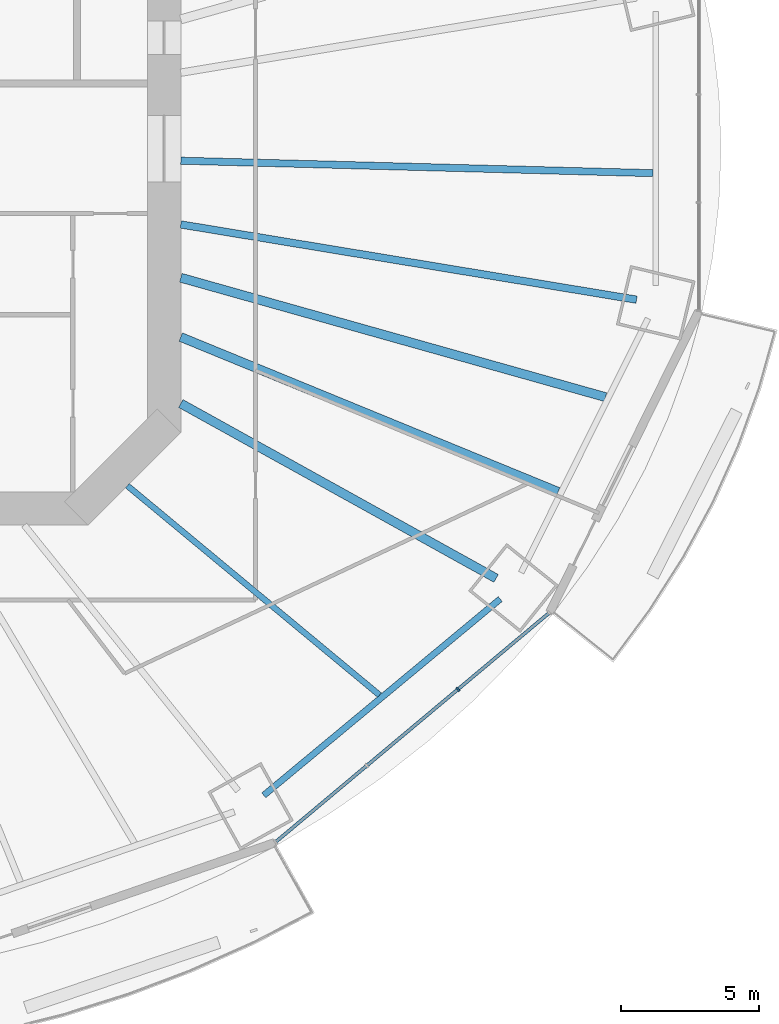
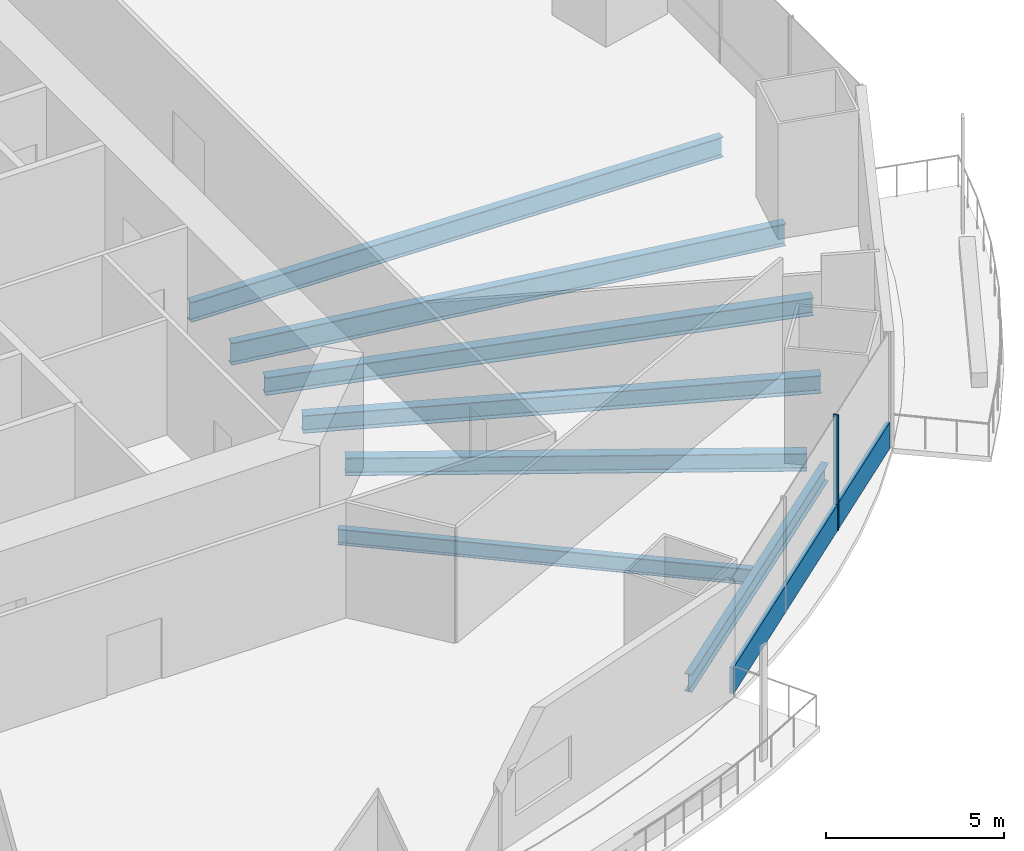
# One storey, part 5 of 23: 7 beams, 2 members, 1 element without a shape of its own.
"""IFC4 building model written with IfcOpenShell, lengths in metres."""

from ifc_helpers import new_model, si_unit, direction, frame, origin, origin_2d, place, context, subcontext, project, spatial, rectangle, i_section, extrude, material, material_profile, profile_set, type_object, element, aggregate, save


model = new_model("IFC4")

# Units and contexts
model_context = context("Model", 3, precision=1e-05, world=origin(), true_north=direction((0.0, 1.0)))
body_context = subcontext(model_context, "Body", "Model", "MODEL_VIEW")
ifc_project = project(units=[si_unit("LENGTHUNIT", "METRE"), si_unit("AREAUNIT", "SQUARE_METRE"), si_unit("VOLUMEUNIT", "CUBIC_METRE"), si_unit("PLANEANGLEUNIT", "RADIAN"), si_unit("MASSUNIT", "GRAM", prefix="KILO")], contexts=[model_context])

# Site, building, storey
site_placement = place(None, origin())
site = spatial("IfcSite", under=ifc_project, at=site_placement, CompositionType="ELEMENT")
building_placement = place(site_placement, origin())
building = spatial("IfcBuilding", under=site, at=building_placement, Name="Marenthal Gate Tower", CompositionType="ELEMENT")
storey_placement = place(building_placement, frame((0.0, 0.0, 62.050048828125)))
storey = spatial("IfcBuildingStorey", under=building, at=storey_placement, Name="L11", CompositionType="ELEMENT", Elevation=62.050048828125)

# Curtain wall, members
ifc_material_1 = material(Name="Aluminium and glass", Category="aluminium")
curtain_wall_type = type_object("IfcCurtainWallType", Name="Curtain wall typical low", PredefinedType="NOTDEFINED", material=ifc_material_1)
curtain_wall_placement = place(storey_placement, origin())
curtain_wall = element("IfcCurtainWall", 1, at=curtain_wall_placement, inside=storey, type_object=curtain_wall_type, Name="Curtain wall L11 bay 14", PredefinedType="NOTDEFINED")
ifc_material_2 = material(Name="Aluminium", Category="aluminium")
ifc_material_profile_1 = material_profile(ifc_material_2, rectangle(XDim=0.159912109375, YDim=0.06005859375, at=origin_2d()), Name="60x160 aluminium mullion")
ifc_profile_set_1 = profile_set([ifc_material_profile_1], Name="Aluminium")
member_type_1 = type_object("IfcMemberType", Name="Mullion 60x160 typical low", PredefinedType="MULLION", material=ifc_profile_set_1)
member_1_placement = place(storey_placement, frame((26.61083984375, -19.529052734375, 0.0), z_axis=(0.0, 0.0, 1.0), x_axis=(-0.642111737517, 0.766611059497, 0.0)))
member_1 = element("IfcMember", 2, at=member_1_placement, type_object=member_type_1, Name="Mullion L11 bay 14.3", PredefinedType="MULLION", context=body_context, shape_type="SweptSolid", body=[
    extrude(rectangle(XDim=0.159912109375, YDim=0.06005859375, at=origin_2d()), origin(), (0.0, 0.0, 1.0), 3.969970703125),
])
ifc_material_3 = material(Name="Aluminium", Category="aluminium")
ifc_material_profile_2 = material_profile(ifc_material_3, rectangle(XDim=0.1201171875, YDim=0.89990234375, at=origin_2d()), Name="120x900 aluminium transom")
ifc_profile_set_2 = profile_set([ifc_material_profile_2], Name="Aluminium")
member_type_2 = type_object("IfcMemberType", Name="Transom 120x900 typical low", PredefinedType="USERDEFINED", material=ifc_profile_set_2)
member_2_placement = place(storey_placement, frame((20.043701171875, -25.029541015625, 0.449951171875), z_axis=(0.766611330769, 0.642111413648, 0.0), x_axis=(-0.642111413648, 0.766611330769, 0.0)))
member_2 = element("IfcMember", 3, at=member_2_placement, type_object=member_type_2, Name="Transom L11 bay 14", ObjectType="TRANSOM", PredefinedType="USERDEFINED", context=body_context, shape_type="SweptSolid", body=[
    extrude(rectangle(XDim=0.1201171875, YDim=0.89990234375, at=origin_2d()), origin(), (0.0, 0.0, 1.0), 12.83447265625),
])
aggregate(curtain_wall, [member_1, member_2])

# Beams
ifc_material_4 = material(Name="Steel S355", Category="steel")
ifc_material_profile_3 = material_profile(ifc_material_4, i_section(OverallWidth=0.2119140625, OverallDepth=0.5439453125, WebThickness=0.01318359375, FlangeThickness=0.021240234375, FilletRadius=0.0126953125, at=origin_2d()), Name="W530X123")
ifc_profile_set_3 = profile_set([ifc_material_profile_3], Name="Steel S355")
beam_type_1 = type_object("IfcBeamType", Name="W530X123 beam", PredefinedType="BEAM", material=ifc_profile_set_3)
beam_1_placement = place(storey_placement, frame((23.77783203125, -19.73876953125, -0.4521484375), z_axis=(-0.769432069778, 0.638728651304, 0.0), x_axis=(-0.638728651304, -0.769432069778, 0.0)))
element("IfcBeam", 4, at=beam_1_placement, inside=storey, type_object=beam_type_1, Name="BM-L11-37", PredefinedType="BEAM", context=body_context, shape_type="SweptSolid", body=[
    extrude(i_section(OverallWidth=0.2119140625, OverallDepth=0.5439453125, WebThickness=0.01318359375, FlangeThickness=0.021240234375, FilletRadius=0.0126953125, at=origin_2d()), origin(), (0.0, 0.0, 1.0), 11.8369140625),
])
ifc_material_5 = material(Name="Steel S355", Category="steel")
ifc_material_profile_4 = material_profile(ifc_material_5, i_section(OverallWidth=0.22900390625, OverallDepth=0.612060546875, WebThickness=0.011962890625, FlangeThickness=0.01953125, FilletRadius=0.0126953125, at=origin_2d()), Name="W610X125")
ifc_profile_set_4 = profile_set([ifc_material_profile_4], Name="Steel S355")
beam_type_2 = type_object("IfcBeamType", Name="W610X125 beam", PredefinedType="BEAM", material=ifc_profile_set_4)
beam_2_placement = place(storey_placement, frame((19.596435546875, -23.358642578125, -0.486083984375), z_axis=(0.769424366687, 0.63873793057, 0.0), x_axis=(-0.63873793057, 0.769424366687, 0.0)))
element("IfcBeam", 5, at=beam_2_placement, inside=storey, type_object=beam_type_2, Name="BM-L11-54", PredefinedType="BEAM", context=body_context, shape_type="SweptSolid", body=[
    extrude(i_section(OverallWidth=0.22900390625, OverallDepth=0.612060546875, WebThickness=0.011962890625, FlangeThickness=0.01953125, FilletRadius=0.0126953125, at=origin_2d()), origin(), (0.0, 0.0, 1.0), 11.0986328125),
])
ifc_material_6 = material(Name="Steel S355", Category="steel")
ifc_material_profile_5 = material_profile(ifc_material_6, i_section(OverallWidth=0.324951171875, OverallDepth=0.612060546875, WebThickness=0.0126953125, FlangeThickness=0.01904296875, FilletRadius=0.0126953125, at=origin_2d()), Name="W610X155")
ifc_profile_set_5 = profile_set([ifc_material_profile_5], Name="Steel S355")
beam_type_3 = type_object("IfcBeamType", Name="W610X155 beam", PredefinedType="BEAM", material=ifc_profile_set_5)
beam_3_placement = place(storey_placement, frame((27.9873046875, -15.52392578125, -0.486083984375), z_axis=(-0.874477229212, 0.485066568204, 0.0), x_axis=(-0.485066568204, -0.874477229212, 0.0)))
element("IfcBeam", 6, at=beam_3_placement, inside=storey, type_object=beam_type_3, Name="BM-L11-15", PredefinedType="BEAM", context=body_context, shape_type="SweptSolid", body=[
    extrude(i_section(OverallWidth=0.324951171875, OverallDepth=0.612060546875, WebThickness=0.0126953125, FlangeThickness=0.01904296875, FilletRadius=0.0126953125, at=origin_2d()), origin(), (0.0, 0.0, 1.0), 13.021728515625),
])
beam_4_placement = place(storey_placement, frame((30.2294921875, -12.39892578125, -0.486083984375), z_axis=(-0.925197564596, 0.379485792178, 0.0), x_axis=(-0.379485792178, -0.925197564596, 0.0)))
element("IfcBeam", 7, at=beam_4_placement, inside=storey, type_object=beam_type_3, Name="BM-L11-38", PredefinedType="BEAM", context=body_context, shape_type="SweptSolid", body=[
    extrude(i_section(OverallWidth=0.324951171875, OverallDepth=0.612060546875, WebThickness=0.0126953125, FlangeThickness=0.01904296875, FilletRadius=0.0126953125, at=origin_2d()), origin(), (0.0, 0.0, 1.0), 14.7314453125),
])
beam_5_placement = place(storey_placement, frame((31.93701171875, -8.977294921875, -0.486083984375), z_axis=(-0.962687377479, 0.270615988521, 0.0), x_axis=(-0.270615988521, -0.962687377479, 0.0)))
element("IfcBeam", 8, at=beam_5_placement, inside=storey, type_object=beam_type_3, Name="BM-L11-39", PredefinedType="BEAM", context=body_context, shape_type="SweptSolid", body=[
    extrude(i_section(OverallWidth=0.324951171875, OverallDepth=0.612060546875, WebThickness=0.0126953125, FlangeThickness=0.01904296875, FilletRadius=0.0126953125, at=origin_2d()), origin(), (0.0, 0.0, 1.0), 15.931396484375),
])
ifc_material_7 = material(Name="Steel S355", Category="steel")
ifc_material_profile_6 = material_profile(ifc_material_7, i_section(OverallWidth=0.257080078125, OverallDepth=0.693115234375, WebThickness=0.014404296875, FlangeThickness=0.023681640625, FilletRadius=0.015380859375, at=origin_2d()), Name="W690X170")
ifc_profile_set_6 = profile_set([ifc_material_profile_6], Name="Steel S355")
beam_type_4 = type_object("IfcBeamType", Name="W690X170 beam", PredefinedType="BEAM", material=ifc_profile_set_6)
beam_6_placement = place(storey_placement, frame((33.647705078125, -0.888916015625, -0.526611328125), z_axis=(-0.999651487797, 0.026398919379, 0.0), x_axis=(-0.026398919379, -0.999651487797, 0.0)))
element("IfcBeam", 9, at=beam_6_placement, inside=storey, type_object=beam_type_4, Name="BM-L11-40", PredefinedType="BEAM", context=body_context, shape_type="SweptSolid", body=[
    extrude(i_section(OverallWidth=0.257080078125, OverallDepth=0.693115234375, WebThickness=0.014404296875, FlangeThickness=0.023681640625, FilletRadius=0.015380859375, at=origin_2d()), origin(), (0.0, 0.0, 1.0), 17.053466796875),
])
ifc_material_8 = material(Name="Steel S355", Category="steel")
ifc_material_profile_7 = material_profile(ifc_material_8, i_section(OverallWidth=0.26708984375, OverallDepth=0.761962890625, WebThickness=0.014404296875, FlangeThickness=0.021484375, FilletRadius=0.0166015625, at=origin_2d()), Name="W760X173")
ifc_profile_set_7 = profile_set([ifc_material_profile_7], Name="Steel S355")
beam_type_5 = type_object("IfcBeamType", Name="W760X173 beam", PredefinedType="BEAM", material=ifc_profile_set_7)
beam_7_placement = place(storey_placement, frame((33.06005859375, -5.458984375, -0.56103515625), z_axis=(-0.986638832435, 0.16292272503, 0.0), x_axis=(-0.16292272503, -0.986638832435, 0.0)))
element("IfcBeam", 10, at=beam_7_placement, inside=storey, type_object=beam_type_5, Name="BM-L11-16", PredefinedType="BEAM", context=body_context, shape_type="SweptSolid", body=[
    extrude(i_section(OverallWidth=0.26708984375, OverallDepth=0.761962890625, WebThickness=0.014404296875, FlangeThickness=0.021484375, FilletRadius=0.0166015625, at=origin_2d()), origin(), (0.0, 0.0, 1.0), 16.682861328125),
])

save(model, "model.ifc")
